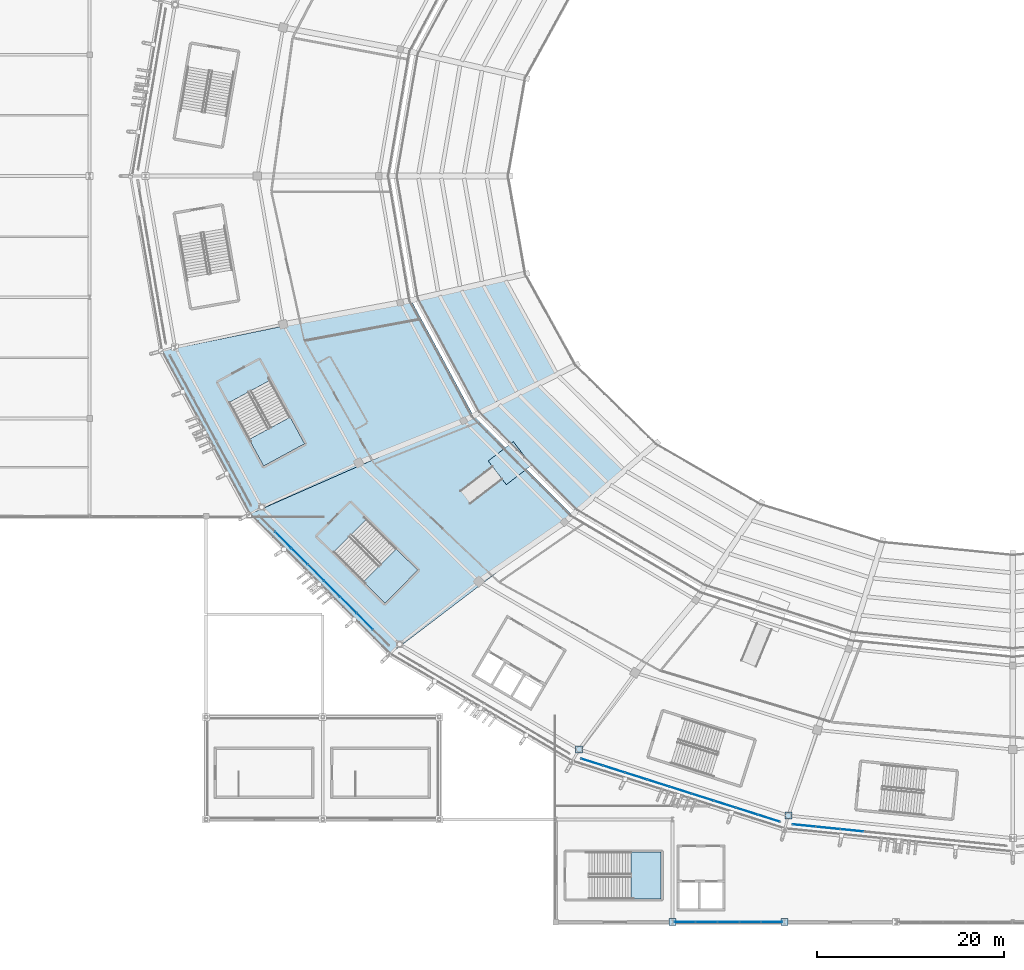
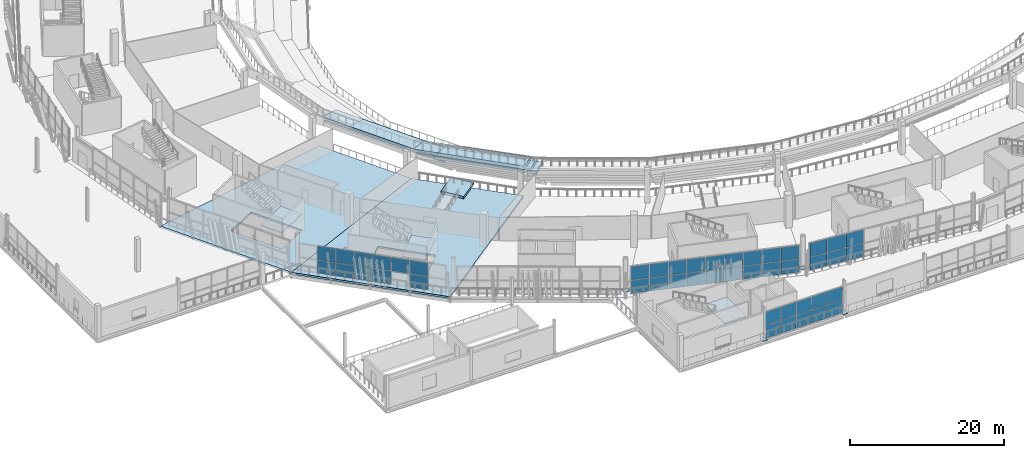
# One storey, part 90 of 178: 49 plates, 13 slabs, 7 elements without a shape of their own.
"""IFC4 building model written with IfcOpenShell, lengths in metres."""

import ifcopenshell
import ifcopenshell.guid

model = None  # the IFC model being written
_history = None  # IfcOwnerHistory: only IFC2X3 demands one
_inside = {}  # id of a spatial element -> (the spatial element, [elements in it])
_under = {}  # id of a project, library or spatial element -> (it, [spatial elements below it])
_declared = {}  # id of a project -> (the project, [libraries it declares])
_typed = {}  # id of a type object -> (the type object, [elements of that type])
_made_of = {}  # id of a material, layer set ... -> (it, [elements and type objects made of it])


def new_model(schema):
    """Start an empty IFC model of exactly this schema.

    Asked for "IFC4X3", IfcOpenShell would pick the latest addendum, in which some entities
    have other attributes; the version numbers below select the first issue.
    IFC2X3 requires an IfcOwnerHistory on every rooted entity: one is made here for all.
    """
    global model, _history
    if schema == "IFC4X3":
        model = ifcopenshell.file(schema_version=(4, 3, 0, 0))
    else:
        model = ifcopenshell.file(schema=schema)
    _inside.clear()
    _under.clear()
    _declared.clear()
    _typed.clear()
    _made_of.clear()
    _history = None
    if model.schema == "IFC2X3":
        org = make("IfcOrganization", Name="unknown")
        user = make(
            "IfcPersonAndOrganization",
            ThePerson=make("IfcPerson", FamilyName="unknown"),
            TheOrganization=org,
        )
        app = make(
            "IfcApplication",
            ApplicationDeveloper=org,
            Version="unknown",
            ApplicationFullName="unknown",
            ApplicationIdentifier="unknown",
        )
        _history = make(
            "IfcOwnerHistory",
            OwningUser=user,
            OwningApplication=app,
            ChangeAction="ADDED",
            CreationDate=0,
        )
    return model


def make(cls, **values):
    """One entity of the class cls with the attributes given. An attribute that is None is left unset."""
    return model.create_entity(
        cls, **{name: value for name, value in values.items() if value is not None}
    )


def rooted(cls, **values):
    """An entity with a GlobalId (a new one), such as an element, a storey or a relation."""
    return make(cls, GlobalId=ifcopenshell.guid.new(), OwnerHistory=_history, **values)


def si_unit(unit_type, name, prefix=None):
    """IfcSIUnit, for example si_unit("LENGTHUNIT", "METRE", prefix="MILLI")."""
    return make("IfcSIUnit", UnitType=unit_type, Prefix=prefix, Name=name)


def assignment(units):
    """IfcUnitAssignment: the units of a project."""
    return None if units is None else make("IfcUnitAssignment", Units=units)


def point(xyz):
    """IfcCartesianPoint."""
    return None if xyz is None else make("IfcCartesianPoint", Coordinates=xyz)


def direction(xyz):
    """IfcDirection."""
    return None if xyz is None else make("IfcDirection", DirectionRatios=xyz)


def frame(location, z_axis=None, x_axis=None):
    """IfcAxis2Placement3D, a coordinate frame: its origin and axes. An axis left out is left unset."""
    return make(
        "IfcAxis2Placement3D",
        Location=point(location),
        Axis=direction(z_axis),
        RefDirection=direction(x_axis),
    )


def frame_2d(location, x_axis=None):
    """IfcAxis2Placement2D, a coordinate frame in the plane: its origin and x axis."""
    return make(
        "IfcAxis2Placement2D", Location=point(location), RefDirection=direction(x_axis)
    )


def origin():
    """The frame at (0, 0, 0) with its axes left unset."""
    return frame((0.0, 0.0, 0.0))


def origin_2d():
    """The frame at (0, 0) in the plane with its x axis left unset."""
    return frame_2d((0.0, 0.0))


def place(relative_to, where):
    """IfcLocalPlacement: puts the frame where relative to a parent placement (None: the world)."""
    return make(
        "IfcLocalPlacement", PlacementRelTo=relative_to, RelativePlacement=where
    )


def context(
    kind, dimensions, precision=None, world=None, true_north=None, identifier=None
):
    """IfcGeometricRepresentationContext, for example the 3D "Model" context."""
    return make(
        "IfcGeometricRepresentationContext",
        ContextIdentifier=identifier,
        ContextType=kind,
        CoordinateSpaceDimension=dimensions,
        Precision=precision,
        WorldCoordinateSystem=world,
        TrueNorth=true_north,
    )


def subcontext(parent, identifier, kind, view, scale=None):
    """IfcGeometricRepresentationSubContext, for example "Body" below "Model"."""
    return make(
        "IfcGeometricRepresentationSubContext",
        ContextIdentifier=identifier,
        ContextType=kind,
        ParentContext=parent,
        TargetScale=scale,
        TargetView=view,
    )


def project(units=None, contexts=None):
    """IfcProject with its units and contexts."""
    return rooted(
        "IfcProject",
        Name="project",
        RepresentationContexts=contexts,
        UnitsInContext=assignment(units),
    )


def spatial(cls, under=None, at=None, **own):
    """A site, building, storey or space (cls), placed at a placement, below another one or the project."""
    s = rooted(cls, ObjectPlacement=at, **own)
    if under is not None:
        _under.setdefault(under.id(), (under, []))[1].append(s)
    return s


def polyline(points):
    """IfcPolyline through the points."""
    return make("IfcPolyline", Points=[point(p) for p in points])


def profile(cls, at=None, kind="AREA", **sizes):
    """A parametric profile (cls). Its sizes go by their IFC names, for example OverallWidth=200.0."""
    return make(cls, ProfileType=kind, Position=at, **sizes)


def rectangle(**sizes):
    """IfcRectangleProfileDef."""
    return profile("IfcRectangleProfileDef", **sizes)


def outline(outer, holes=None, kind="AREA"):
    """IfcArbitraryClosedProfileDef: a profile drawn as a closed curve; with holes, ...WithVoids."""
    if holes is None:
        return make("IfcArbitraryClosedProfileDef", ProfileType=kind, OuterCurve=outer)
    return make(
        "IfcArbitraryProfileDefWithVoids",
        ProfileType=kind,
        OuterCurve=outer,
        InnerCurves=holes,
    )


def extrude(swept, where, along, depth):
    """IfcExtrudedAreaSolid: the profile swept, set in the frame where, extruded along a direction by depth."""
    return make(
        "IfcExtrudedAreaSolid",
        SweptArea=swept,
        Position=where,
        ExtrudedDirection=direction(along),
        Depth=depth,
    )


def shape(context_of_items, identifier, shape_type, items):
    """IfcShapeRepresentation: the items that make up one representation, for example the "Body"."""
    return make(
        "IfcShapeRepresentation",
        ContextOfItems=context_of_items,
        RepresentationIdentifier=identifier,
        RepresentationType=shape_type,
        Items=items,
    )


def material(Name=None, Category=None):
    """IfcMaterial."""
    return make("IfcMaterial", Name=Name, Category=Category)


def layer(
    of_material, thickness, ventilated=None, Name=None, Category=None, Priority=None
):
    """IfcMaterialLayer: one layer of a wall or slab, of a material (None: an air gap)."""
    return make(
        "IfcMaterialLayer",
        Material=of_material,
        LayerThickness=thickness,
        IsVentilated=ventilated,
        Name=Name,
        Category=Category,
        Priority=Priority,
    )


def layer_set(layers, Name=None):
    """IfcMaterialLayerSet."""
    return make("IfcMaterialLayerSet", MaterialLayers=layers, LayerSetName=Name)


def made_of(thing, what):
    """Note that an element or type object is made of a material, layer set ...; save() writes the relation."""
    if what is not None:
        _made_of.setdefault(what.id(), (what, []))[1].append(thing)
    return thing


def type_object(cls, material=None, **own):
    """A type object (cls), such as IfcWallType, which elements share."""
    return made_of(rooted(cls, **own), material)


def element(
    cls,
    number,
    at=None,
    inside=None,
    cuts=None,
    type_object=None,
    material=None,
    context=None,
    identifier="Body",
    shape_type=None,
    held_by="IfcProductDefinitionShape",
    body=None,
    shapes=None,
    **own,
):
    """One element of the class cls, such as IfcWall. Its Tag is "e" and its number.

    at: its placement. inside: the storey or other place that contains it. cuts: it is an
    opening in that element (IfcRelVoidsElement). A single representation is given by context,
    identifier, shape_type and body (its items); several are given by shapes. held_by: the class
    of the entity that holds the representations. save() writes the other relations.
    """
    e = rooted(cls, Tag="e%d" % number, ObjectPlacement=at, **own)
    if body is not None:
        shapes = [shape(context, identifier, shape_type, body)]
    if shapes is not None:
        e.Representation = make(held_by, Representations=shapes)
    if inside is not None:
        _inside.setdefault(inside.id(), (inside, []))[1].append(e)
    if cuts is not None:
        rooted(
            "IfcRelVoidsElement", RelatingBuildingElement=cuts, RelatedOpeningElement=e
        )
    if type_object is not None:
        _typed.setdefault(type_object.id(), (type_object, []))[1].append(e)
    return made_of(e, material)


def aggregate(whole, parts):
    """IfcRelAggregates: a whole, such as a stair, and the parts it consists of."""
    return rooted("IfcRelAggregates", RelatingObject=whole, RelatedObjects=parts)


def save(model, path):
    """Write the relations noted so far, then the file.

    IfcRelAggregates (storeys below a building ...), IfcRelContainedInSpatialStructure (elements
    in a storey), IfcRelDefinesByType, IfcRelAssociatesMaterial and IfcRelDeclares: one each for
    every whole, place, type object, material and project.
    """
    for whole, parts in _under.values():
        aggregate(whole, parts)
    for where, things in _inside.values():
        rooted(
            "IfcRelContainedInSpatialStructure",
            RelatedElements=things,
            RelatingStructure=where,
        )
    for kind, things in _typed.values():
        rooted("IfcRelDefinesByType", RelatedObjects=things, RelatingType=kind)
    for what, things in _made_of.values():
        rooted("IfcRelAssociatesMaterial", RelatedObjects=things, RelatingMaterial=what)
    for by, libraries in _declared.values():
        rooted("IfcRelDeclares", RelatingContext=by, RelatedDefinitions=libraries)
    model.write(path)


model = new_model("IFC4")

# Units and contexts
model_context = context("Model", 3, precision=1e-05, world=origin(), true_north=direction((0.0, 1.0)))
body_context = subcontext(model_context, "Body", "Model", "MODEL_VIEW")
ifc_project = project(units=[si_unit("LENGTHUNIT", "METRE"), si_unit("AREAUNIT", "SQUARE_METRE"), si_unit("VOLUMEUNIT", "CUBIC_METRE"), si_unit("PLANEANGLEUNIT", "RADIAN"), si_unit("MASSUNIT", "GRAM", prefix="KILO")], contexts=[model_context])

# Site, building, storey
site_placement = place(None, origin())
site = spatial("IfcSite", under=ifc_project, at=site_placement, CompositionType="ELEMENT")
building_placement = place(site_placement, origin())
building = spatial("IfcBuilding", under=site, at=building_placement, Name="Zlatoyarsky Gate Stadium", CompositionType="ELEMENT")
storey_placement = place(building_placement, frame((0.0, 0.0, 5.39990234375)))
storey = spatial("IfcBuildingStorey", under=building, at=storey_placement, Name="L01", CompositionType="ELEMENT", Elevation=5.39990234375)

# Slabs
ifc_material_1 = material(Name="Concrete C40/50", Category="concrete")
ifc_layer_1 = layer(ifc_material_1, 0.360107421875)
ifc_layer_set_1 = layer_set([ifc_layer_1], Name="Concrete C40/50")
slab_type_1 = type_object("IfcSlabType", Name="CONCRETE ACCESSIBLE PLATFORM SLAB 360", PredefinedType="FLOOR", material=ifc_layer_set_1)
slab_1_placement = place(storey_placement, origin())
element("IfcSlab", 1, at=slab_1_placement, inside=storey, type_object=slab_type_1, Name="L01 accessible viewing platform at AR-03", PredefinedType="FLOOR", context=body_context, shape_type="SweptSolid", body=[
    extrude(outline(polyline([(56.693359375, 46.904541015625), (59.390625, 48.974365234375), (57.442626953125, 51.512939453125), (54.745361328125, 49.443115234375), (56.693359375, 46.904541015625)])), origin(), (0.0, 0.0, 1.0), 0.360107421875),
])
ifc_layer_2 = layer(ifc_material_1, 0.300048828125)
ifc_layer_set_2 = layer_set([ifc_layer_2], Name="Concrete C40/50")
slab_type_2 = type_object("IfcSlabType", Name="CONCRETE CONCOURSE SLAB 300", PredefinedType="FLOOR", material=ifc_layer_set_2)
slab_2_placement = place(storey_placement, frame((0.0, 0.0, -0.2998046875)))
element("IfcSlab", 2, at=slab_2_placement, inside=storey, type_object=slab_type_2, Name="L01 bowl sector 13 slab", PredefinedType="FLOOR", context=body_context, shape_type="SweptSolid", body=[
    extrude(outline(polyline([(53.1494140625, 54.300048828125), (29.066650390625, 43.69580078125), (19.615234375, 61.20751953125), (46.476318359375, 66.69677734375), (53.1494140625, 54.300048828125)]), holes=[polyline([(26.969482421875, 55.712646484375), (30.66552734375, 48.90087890625), (35.060302734375, 51.28515625), (31.364501953125, 58.09716796875), (26.969482421875, 55.712646484375)])]), origin(), (0.0, 0.0, 1.0), 0.2998046875),
])
slab_3_placement = place(storey_placement, frame((0.0, 0.0, -0.2998046875)))
element("IfcSlab", 3, at=slab_3_placement, inside=storey, type_object=slab_type_2, Name="L01 bowl sector 14 slab", PredefinedType="FLOOR", context=body_context, shape_type="SweptSolid", body=[
    extrude(outline(polyline([(63.765380859375, 43.65478515625), (44.101806640625, 28.657958984375), (29.066650390625, 43.69580078125), (53.1494140625, 54.300048828125), (63.765380859375, 43.65478515625)]), holes=[polyline([(41.6982421875, 43.197265625), (38.171875, 39.652587890625), (43.665771484375, 34.1865234375), (47.1923828125, 37.731201171875), (41.6982421875, 43.197265625)])]), origin(), (0.0, 0.0, 1.0), 0.2998046875),
])

# Stair, slab
stair_type = type_object("IfcStairType", Name="CONCRETE DOGLEG EXIT STAIR H5200", PredefinedType="TWO_STRAIGHT_RUN_STAIR", material=ifc_material_1)
stair_1_placement = place(storey_placement, origin())
stair_1 = element("IfcStair", 4, at=stair_1_placement, inside=storey, type_object=stair_type, Name="L01 Exit Stair ST-08", PredefinedType="TWO_STRAIGHT_RUN_STAIR")
ifc_layer_3 = layer(ifc_material_1, 0.199951171875)
ifc_layer_set_3 = layer_set([ifc_layer_3], Name="Concrete C40/50")
slab_type_3 = type_object("IfcSlabType", Name="CONCRETE STAIR LANDING SLAB 200", PredefinedType="LANDING", material=ifc_layer_set_3)
slab_4_placement = place(storey_placement, frame((0.0, 0.0, 2.400146484375)))
slab_4 = element("IfcSlab", 5, at=slab_4_placement, type_object=slab_type_3, Name="ST-DG52 landing 1", PredefinedType="LANDING", context=body_context, shape_type="SweptSolid", body=[
    extrude(outline(polyline([(41.36181640625, 36.478759765625), (43.665771484375, 34.1865234375), (47.1923828125, 37.73095703125), (44.888427734375, 40.0234375), (41.36181640625, 36.478759765625)])), origin(), (0.0, 0.0, 1.0), 0.199951171875),
])
aggregate(stair_1, [slab_4])

stair_2_placement = place(storey_placement, origin())
stair_2 = element("IfcStair", 6, at=stair_2_placement, inside=storey, type_object=stair_type, Name="L01 Exit Stair ST-15", PredefinedType="TWO_STRAIGHT_RUN_STAIR")
slab_5_placement = place(storey_placement, frame((0.0, 0.0, 2.400146484375)))
slab_5 = element("IfcSlab", 7, at=slab_5_placement, type_object=slab_type_3, Name="ST-DG52 landing 1", PredefinedType="LANDING", context=body_context, shape_type="SweptSolid", body=[
    extrude(outline(polyline([(29.115478515625, 51.75732421875), (30.66552734375, 48.90087890625), (35.060302734375, 51.28515625), (33.510498046875, 54.141845703125), (29.115478515625, 51.75732421875)])), origin(), (0.0, 0.0, 1.0), 0.199951171875),
])
aggregate(stair_2, [slab_5])

stair_3_placement = place(storey_placement, origin())
stair_3 = element("IfcStair", 8, at=stair_3_placement, inside=storey, type_object=stair_type, Name="L01 Exit Stair ST-29", PredefinedType="TWO_STRAIGHT_RUN_STAIR")
slab_6_placement = place(storey_placement, frame((0.0, 0.0, 2.400146484375)))
slab_6 = element("IfcSlab", 9, at=slab_6_placement, type_object=slab_type_3, Name="ST-DG52 landing 1", PredefinedType="LANDING", context=body_context, shape_type="SweptSolid", body=[
    extrude(outline(polyline([(70.050048828125, 2.5), (73.300048828125, 2.5), (73.300048828125, 7.5), (70.050048828125, 7.5), (70.050048828125, 2.5)])), origin(), (0.0, 0.0, 1.0), 0.199951171875),
])
aggregate(stair_3, [slab_6])

# Slabs
ifc_material_2 = material(Name="Precast concrete C40/50", Category="concrete")
ifc_layer_4 = layer(ifc_material_2, 0.52001953125)
ifc_layer_set_4 = layer_set([ifc_layer_4], Name="Precast concrete C40/50")
slab_type_4 = type_object("IfcSlabType", Name="PRECAST LOWER SEATING TIER UNIT 520", PredefinedType="USERDEFINED", material=ifc_layer_set_4)
slab_7_placement = place(storey_placement, frame((0.0, 0.0, -1.969970703125)))
element("IfcSlab", 10, at=slab_7_placement, inside=storey, type_object=slab_type_4, Name="Lower seating tier sector 13 row 2", ObjectType="SEATING TIER", PredefinedType="USERDEFINED", context=body_context, shape_type="SweptSolid", body=[
    extrude(outline(polyline([(56.483154296875, 68.984619140625), (54.126220703125, 68.451416015625), (60.00830078125, 57.68994140625), (62.12158203125, 58.719970703125), (56.483154296875, 68.984619140625)])), origin(), (0.0, 0.0, 1.0), 0.52001953125),
])
slab_8_placement = place(storey_placement, frame((0.0, 0.0, -0.06982421875)))
element("IfcSlab", 11, at=slab_8_placement, inside=storey, type_object=slab_type_4, Name="Lower seating tier sector 13 row 3", ObjectType="SEATING TIER", PredefinedType="USERDEFINED", context=body_context, shape_type="SweptSolid", body=[
    extrude(outline(polyline([(54.126220703125, 68.451416015625), (51.769287109375, 67.918212890625), (57.895263671875, 56.659912109375), (60.00830078125, 57.68994140625), (54.126220703125, 68.451416015625)])), origin(), (0.0, 0.0, 1.0), 0.52001953125),
])
slab_9_placement = place(storey_placement, frame((0.0, 0.0, 1.830078125)))
element("IfcSlab", 12, at=slab_9_placement, inside=storey, type_object=slab_type_4, Name="Lower seating tier sector 13 row 4", ObjectType="SEATING TIER", PredefinedType="USERDEFINED", context=body_context, shape_type="SweptSolid", body=[
    extrude(outline(polyline([(51.769287109375, 67.918212890625), (49.41259765625, 67.38525390625), (55.7822265625, 55.6298828125), (57.895263671875, 56.659912109375), (51.769287109375, 67.918212890625)])), origin(), (0.0, 0.0, 1.0), 0.52001953125),
])
slab_10_placement = place(storey_placement, frame((0.0, 0.0, 3.72998046875)))
element("IfcSlab", 13, at=slab_10_placement, inside=storey, type_object=slab_type_4, Name="Lower seating tier sector 13 row 5", ObjectType="SEATING TIER", PredefinedType="USERDEFINED", context=body_context, shape_type="SweptSolid", body=[
    extrude(outline(polyline([(49.41259765625, 67.38525390625), (47.0556640625, 66.85205078125), (53.669189453125, 54.60009765625), (55.7822265625, 55.6298828125), (49.41259765625, 67.38525390625)])), origin(), (0.0, 0.0, 1.0), 0.52001953125),
])
slab_11_placement = place(storey_placement, frame((0.0, 0.0, -0.06982421875)))
element("IfcSlab", 14, at=slab_11_placement, inside=storey, type_object=slab_type_4, Name="Lower seating tier sector 14 row 3", ObjectType="SEATING TIER", PredefinedType="USERDEFINED", context=body_context, shape_type="SweptSolid", body=[
    extrude(outline(polyline([(60.00830078125, 57.68994140625), (57.895263671875, 56.659912109375), (67.64013671875, 46.9921875), (69.365478515625, 48.448974609375), (60.00830078125, 57.68994140625)])), origin(), (0.0, 0.0, 1.0), 0.52001953125),
])
slab_12_placement = place(storey_placement, frame((0.0, 0.0, 1.830078125)))
element("IfcSlab", 15, at=slab_12_placement, inside=storey, type_object=slab_type_4, Name="Lower seating tier sector 14 row 4", ObjectType="SEATING TIER", PredefinedType="USERDEFINED", context=body_context, shape_type="SweptSolid", body=[
    extrude(outline(polyline([(57.895263671875, 56.659912109375), (55.7822265625, 55.6298828125), (65.914794921875, 45.53564453125), (67.64013671875, 46.9921875), (57.895263671875, 56.659912109375)])), origin(), (0.0, 0.0, 1.0), 0.52001953125),
])
slab_13_placement = place(storey_placement, frame((0.0, 0.0, 3.72998046875)))
element("IfcSlab", 16, at=slab_13_placement, inside=storey, type_object=slab_type_4, Name="Lower seating tier sector 14 row 5", ObjectType="SEATING TIER", PredefinedType="USERDEFINED", context=body_context, shape_type="SweptSolid", body=[
    extrude(outline(polyline([(55.7822265625, 55.6298828125), (53.669189453125, 54.60009765625), (64.189453125, 44.0791015625), (65.914794921875, 45.53564453125), (55.7822265625, 55.6298828125)])), origin(), (0.0, 0.0, 1.0), 0.52001953125),
])

# Plates
ifc_material_3 = material(Name="Steel S355", Category="steel")
ifc_layer_5 = layer(ifc_material_3, 0.0400390625)
ifc_layer_set_5 = layer_set([ifc_layer_5], Name="Steel S355")
plate_type_1 = type_object("IfcPlateType", Name="STEEL COLUMN BASE PLATE 40", PredefinedType="USERDEFINED", material=ifc_layer_set_5)
for number, where, z_axis, x_axis, name in (
    (17, (64.5, 18.51220703125, 0.0), (0.0, 0.0, 1.0), (1.0, 0.0, 0.0), "Column base plate BP-01 at RC-16 L01"),
    (18, (86.9296875, 11.419189453125, 0.0), (0.0, 0.0, 1.0), (1.0, 0.0, 0.0), "Column base plate BP-01 at RC-17 L01"),
    (19, (74.5, 0.0, 0.0), (0.0, 0.0, 1.0), (1.0, 0.0, 0.0), "Column base plate BP-01 at WG-7-A L01"),
    (20, (86.5, 0.0, 0.0), (0.0, 0.0, 1.0), (1.0, 0.0, 0.0), "Column base plate BP-01 at WG-8-A L01"),
):
    element("IfcPlate", number, at=place(storey_placement, frame(where, z_axis=z_axis, x_axis=x_axis)), inside=storey, type_object=plate_type_1, Name=name, ObjectType="BASE PLATE", PredefinedType="USERDEFINED", context=body_context, shape_type="SweptSolid", body=[
        extrude(rectangle(XDim=0.75, YDim=0.75, at=origin_2d()), origin(), (0.0, 0.0, 1.0), 0.0400390625),
    ])

# Curtain wall, plates
ifc_material_4 = material(Name="Thermally broken anodised aluminium curtain wall", Category="aluminium")
curtain_wall_type_1 = type_object("IfcCurtainWallType", Name="UNITISED HOSPITALITY GLAZING L01", PredefinedType="USERDEFINED", material=ifc_material_4)
curtain_wall_1_placement = place(storey_placement, origin())
curtain_wall_1 = element("IfcCurtainWall", 21, at=curtain_wall_1_placement, inside=storey, type_object=curtain_wall_type_1, Name="Curtain wall CW-L01-14", ObjectType="UNITISED GLAZING", PredefinedType="USERDEFINED")
ifc_material_5 = material(Name="Triple-glazed argon low-e architectural glass", Category="glass")
ifc_layer_6 = layer(ifc_material_5, 0.0380859375)
ifc_layer_set_6 = layer_set([ifc_layer_6], Name="Triple-glazed argon low-e architectural glass")
plate_type_2 = type_object("IfcPlateType", Name="TRIPLE GLAZED LOW E CURTAIN PANEL 38", PredefinedType="CURTAIN_PANEL", material=ifc_layer_set_6)
plate_1_placement = place(storey_placement, frame((32.7587890625, 40.966552734375, 0.06494140625), z_axis=(0.0, 0.0, 1.0), x_axis=(0.707839332176, -0.706373470498, 0.0)))
plate_1 = element("IfcPlate", 22, at=plate_1_placement, type_object=plate_type_2, Name="CW-UG1 panel 2.1", PredefinedType="CURTAIN_PANEL", context=body_context, shape_type="SweptSolid", body=[
    extrude(rectangle(XDim=2.407958984375, YDim=0.0380859375, at=origin_2d()), origin(), (0.0, 0.0, 1.0), 2.052490234375),
])
plate_2_placement = place(storey_placement, frame((32.7587890625, 40.966552734375, 2.1826171875), z_axis=(0.0, 0.0, 1.0), x_axis=(0.707839332176, -0.706373470498, 0.0)))
plate_2 = element("IfcPlate", 23, at=plate_2_placement, type_object=plate_type_2, Name="CW-UG1 panel 2.2", PredefinedType="CURTAIN_PANEL", context=body_context, shape_type="SweptSolid", body=[
    extrude(rectangle(XDim=2.407958984375, YDim=0.0380859375, at=origin_2d()), origin(), (0.0, 0.0, 1.0), 2.152587890625),
])
plate_3_placement = place(storey_placement, frame((34.509033203125, 39.2197265625, 0.06494140625), z_axis=(0.0, 0.0, 1.0), x_axis=(0.707839332176, -0.706373470498, 0.0)))
plate_3 = element("IfcPlate", 24, at=plate_3_placement, type_object=plate_type_2, Name="CW-UG1 panel 3.1", PredefinedType="CURTAIN_PANEL", context=body_context, shape_type="SweptSolid", body=[
    extrude(rectangle(XDim=2.407958984375, YDim=0.0380859375, at=origin_2d()), origin(), (0.0, 0.0, 1.0), 2.052490234375),
])
plate_4_placement = place(storey_placement, frame((34.509033203125, 39.2197265625, 2.1826171875), z_axis=(0.0, 0.0, 1.0), x_axis=(0.707839332176, -0.706373470498, 0.0)))
plate_4 = element("IfcPlate", 25, at=plate_4_placement, type_object=plate_type_2, Name="CW-UG1 panel 3.2", PredefinedType="CURTAIN_PANEL", context=body_context, shape_type="SweptSolid", body=[
    extrude(rectangle(XDim=2.407958984375, YDim=0.0380859375, at=origin_2d()), origin(), (0.0, 0.0, 1.0), 2.152587890625),
])
plate_5_placement = place(storey_placement, frame((36.259521484375, 37.472900390625, 0.06494140625), z_axis=(0.0, 0.0, 1.0), x_axis=(0.707839332176, -0.706373470498, 0.0)))
plate_5 = element("IfcPlate", 26, at=plate_5_placement, type_object=plate_type_2, Name="CW-UG1 panel 4.1", PredefinedType="CURTAIN_PANEL", context=body_context, shape_type="SweptSolid", body=[
    extrude(rectangle(XDim=2.407958984375, YDim=0.0380859375, at=origin_2d()), origin(), (0.0, 0.0, 1.0), 2.052490234375),
])
plate_6_placement = place(storey_placement, frame((36.259521484375, 37.472900390625, 2.1826171875), z_axis=(0.0, 0.0, 1.0), x_axis=(0.707839332176, -0.706373470498, 0.0)))
plate_6 = element("IfcPlate", 27, at=plate_6_placement, type_object=plate_type_2, Name="CW-UG1 panel 4.2", PredefinedType="CURTAIN_PANEL", context=body_context, shape_type="SweptSolid", body=[
    extrude(rectangle(XDim=2.407958984375, YDim=0.0380859375, at=origin_2d()), origin(), (0.0, 0.0, 1.0), 2.152587890625),
])
plate_7_placement = place(storey_placement, frame((38.010009765625, 35.72607421875, 0.06494140625), z_axis=(0.0, 0.0, 1.0), x_axis=(0.707839332176, -0.706373470498, 0.0)))
plate_7 = element("IfcPlate", 28, at=plate_7_placement, type_object=plate_type_2, Name="CW-UG1 panel 5.1", PredefinedType="CURTAIN_PANEL", context=body_context, shape_type="SweptSolid", body=[
    extrude(rectangle(XDim=2.407958984375, YDim=0.0380859375, at=origin_2d()), origin(), (0.0, 0.0, 1.0), 2.052490234375),
])
plate_8_placement = place(storey_placement, frame((38.010009765625, 35.72607421875, 2.1826171875), z_axis=(0.0, 0.0, 1.0), x_axis=(0.707839332176, -0.706373470498, 0.0)))
plate_8 = element("IfcPlate", 29, at=plate_8_placement, type_object=plate_type_2, Name="CW-UG1 panel 5.2", PredefinedType="CURTAIN_PANEL", context=body_context, shape_type="SweptSolid", body=[
    extrude(rectangle(XDim=2.407958984375, YDim=0.0380859375, at=origin_2d()), origin(), (0.0, 0.0, 1.0), 2.152587890625),
])
plate_9_placement = place(storey_placement, frame((39.760498046875, 33.979248046875, 2.1826171875), z_axis=(0.0, 0.0, 1.0), x_axis=(0.707839332176, -0.706373470498, 0.0)))
plate_9 = element("IfcPlate", 30, at=plate_9_placement, type_object=plate_type_2, Name="CW-UG1 panel 6.2", PredefinedType="CURTAIN_PANEL", context=body_context, shape_type="SweptSolid", body=[
    extrude(rectangle(XDim=2.407958984375, YDim=0.0380859375, at=origin_2d()), origin(), (0.0, 0.0, 1.0), 2.152587890625),
])
plate_10_placement = place(storey_placement, frame((41.510986328125, 32.232421875, 0.06494140625), z_axis=(0.0, 0.0, 1.0), x_axis=(0.707839332176, -0.706373470498, 0.0)))
plate_10 = element("IfcPlate", 31, at=plate_10_placement, type_object=plate_type_2, Name="CW-UG1 panel 7.1", PredefinedType="CURTAIN_PANEL", context=body_context, shape_type="SweptSolid", body=[
    extrude(rectangle(XDim=2.407958984375, YDim=0.0380859375, at=origin_2d()), origin(), (0.0, 0.0, 1.0), 2.052490234375),
])
plate_11_placement = place(storey_placement, frame((41.510986328125, 32.232421875, 2.1826171875), z_axis=(0.0, 0.0, 1.0), x_axis=(0.707839332176, -0.706373470498, 0.0)))
plate_11 = element("IfcPlate", 32, at=plate_11_placement, type_object=plate_type_2, Name="CW-UG1 panel 7.2", PredefinedType="CURTAIN_PANEL", context=body_context, shape_type="SweptSolid", body=[
    extrude(rectangle(XDim=2.407958984375, YDim=0.0380859375, at=origin_2d()), origin(), (0.0, 0.0, 1.0), 2.152587890625),
])
aggregate(curtain_wall_1, [plate_1, plate_2, plate_3, plate_4, plate_5, plate_6, plate_7, plate_8, plate_9, plate_10, plate_11])

curtain_wall_2_placement = place(storey_placement, origin())
curtain_wall_2 = element("IfcCurtainWall", 33, at=curtain_wall_2_placement, inside=storey, type_object=curtain_wall_type_1, Name="Curtain wall CW-L01-16", ObjectType="UNITISED GLAZING", PredefinedType="USERDEFINED")
plate_12_placement = place(storey_placement, frame((65.8701171875, 17.146728515625, 0.06494140625), z_axis=(0.0, 0.0, 1.0), x_axis=(0.953202069722, -0.302333944964, 0.0)))
plate_12 = element("IfcPlate", 34, at=plate_12_placement, type_object=plate_type_2, Name="CW-UG1 panel 1.1", PredefinedType="CURTAIN_PANEL", context=body_context, shape_type="SweptSolid", body=[
    extrude(rectangle(XDim=2.398193359375, YDim=0.0380859375, at=origin_2d()), origin(), (0.0, 0.0, 1.0), 2.052490234375),
])
plate_13_placement = place(storey_placement, frame((65.8701171875, 17.146728515625, 2.1826171875), z_axis=(0.0, 0.0, 1.0), x_axis=(0.953202069722, -0.302333944964, 0.0)))
plate_13 = element("IfcPlate", 35, at=plate_13_placement, type_object=plate_type_2, Name="CW-UG1 panel 1.2", PredefinedType="CURTAIN_PANEL", context=body_context, shape_type="SweptSolid", body=[
    extrude(rectangle(XDim=2.398193359375, YDim=0.0380859375, at=origin_2d()), origin(), (0.0, 0.0, 1.0), 2.152587890625),
])
plate_14_placement = place(storey_placement, frame((68.233642578125, 16.397216796875, 0.06494140625), z_axis=(0.0, 0.0, 1.0), x_axis=(0.953202069722, -0.302333944964, 0.0)))
plate_14 = element("IfcPlate", 36, at=plate_14_placement, type_object=plate_type_2, Name="CW-UG1 panel 2.1", PredefinedType="CURTAIN_PANEL", context=body_context, shape_type="SweptSolid", body=[
    extrude(rectangle(XDim=2.4306640625, YDim=0.0380859375, at=origin_2d()), origin(), (0.0, 0.0, 1.0), 2.052490234375),
])
plate_15_placement = place(storey_placement, frame((68.233642578125, 16.397216796875, 2.1826171875), z_axis=(0.0, 0.0, 1.0), x_axis=(0.953202069722, -0.302333944964, 0.0)))
plate_15 = element("IfcPlate", 37, at=plate_15_placement, type_object=plate_type_2, Name="CW-UG1 panel 2.2", PredefinedType="CURTAIN_PANEL", context=body_context, shape_type="SweptSolid", body=[
    extrude(rectangle(XDim=2.4306640625, YDim=0.0380859375, at=origin_2d()), origin(), (0.0, 0.0, 1.0), 2.152587890625),
])
plate_16_placement = place(storey_placement, frame((70.612548828125, 15.642578125, 0.06494140625), z_axis=(0.0, 0.0, 1.0), x_axis=(0.953202069722, -0.302333944964, 0.0)))
plate_16 = element("IfcPlate", 38, at=plate_16_placement, type_object=plate_type_2, Name="CW-UG1 panel 3.1", PredefinedType="CURTAIN_PANEL", context=body_context, shape_type="SweptSolid", body=[
    extrude(rectangle(XDim=2.4306640625, YDim=0.0380859375, at=origin_2d()), origin(), (0.0, 0.0, 1.0), 2.052490234375),
])
plate_17_placement = place(storey_placement, frame((70.612548828125, 15.642578125, 2.1826171875), z_axis=(0.0, 0.0, 1.0), x_axis=(0.953202069722, -0.302333944964, 0.0)))
plate_17 = element("IfcPlate", 39, at=plate_17_placement, type_object=plate_type_2, Name="CW-UG1 panel 3.2", PredefinedType="CURTAIN_PANEL", context=body_context, shape_type="SweptSolid", body=[
    extrude(rectangle(XDim=2.4306640625, YDim=0.0380859375, at=origin_2d()), origin(), (0.0, 0.0, 1.0), 2.152587890625),
])
plate_18_placement = place(storey_placement, frame((72.991455078125, 14.88818359375, 0.06494140625), z_axis=(0.0, 0.0, 1.0), x_axis=(0.953202069722, -0.302333944964, 0.0)))
plate_18 = element("IfcPlate", 40, at=plate_18_placement, type_object=plate_type_2, Name="CW-UG1 panel 4.1", PredefinedType="CURTAIN_PANEL", context=body_context, shape_type="SweptSolid", body=[
    extrude(rectangle(XDim=2.4306640625, YDim=0.0380859375, at=origin_2d()), origin(), (0.0, 0.0, 1.0), 2.052490234375),
])
plate_19_placement = place(storey_placement, frame((72.991455078125, 14.88818359375, 2.1826171875), z_axis=(0.0, 0.0, 1.0), x_axis=(0.953202069722, -0.302333944964, 0.0)))
plate_19 = element("IfcPlate", 41, at=plate_19_placement, type_object=plate_type_2, Name="CW-UG1 panel 4.2", PredefinedType="CURTAIN_PANEL", context=body_context, shape_type="SweptSolid", body=[
    extrude(rectangle(XDim=2.4306640625, YDim=0.0380859375, at=origin_2d()), origin(), (0.0, 0.0, 1.0), 2.152587890625),
])
plate_20_placement = place(storey_placement, frame((75.3701171875, 14.133544921875, 0.06494140625), z_axis=(0.0, 0.0, 1.0), x_axis=(0.953202069722, -0.302333944964, 0.0)))
plate_20 = element("IfcPlate", 42, at=plate_20_placement, type_object=plate_type_2, Name="CW-UG1 panel 5.1", PredefinedType="CURTAIN_PANEL", context=body_context, shape_type="SweptSolid", body=[
    extrude(rectangle(XDim=2.4306640625, YDim=0.0380859375, at=origin_2d()), origin(), (0.0, 0.0, 1.0), 2.052490234375),
])
plate_21_placement = place(storey_placement, frame((75.3701171875, 14.133544921875, 2.1826171875), z_axis=(0.0, 0.0, 1.0), x_axis=(0.953202069722, -0.302333944964, 0.0)))
plate_21 = element("IfcPlate", 43, at=plate_21_placement, type_object=plate_type_2, Name="CW-UG1 panel 5.2", PredefinedType="CURTAIN_PANEL", context=body_context, shape_type="SweptSolid", body=[
    extrude(rectangle(XDim=2.4306640625, YDim=0.0380859375, at=origin_2d()), origin(), (0.0, 0.0, 1.0), 2.152587890625),
])
plate_22_placement = place(storey_placement, frame((77.7490234375, 13.37890625, 0.06494140625), z_axis=(0.0, 0.0, 1.0), x_axis=(0.953202069722, -0.302333944964, 0.0)))
plate_22 = element("IfcPlate", 44, at=plate_22_placement, type_object=plate_type_2, Name="CW-UG1 panel 6.1", PredefinedType="CURTAIN_PANEL", context=body_context, shape_type="SweptSolid", body=[
    extrude(rectangle(XDim=2.4306640625, YDim=0.0380859375, at=origin_2d()), origin(), (0.0, 0.0, 1.0), 2.052490234375),
])
plate_23_placement = place(storey_placement, frame((77.7490234375, 13.37890625, 2.1826171875), z_axis=(0.0, 0.0, 1.0), x_axis=(0.953202069722, -0.302333944964, 0.0)))
plate_23 = element("IfcPlate", 45, at=plate_23_placement, type_object=plate_type_2, Name="CW-UG1 panel 6.2", PredefinedType="CURTAIN_PANEL", context=body_context, shape_type="SweptSolid", body=[
    extrude(rectangle(XDim=2.4306640625, YDim=0.0380859375, at=origin_2d()), origin(), (0.0, 0.0, 1.0), 2.152587890625),
])
plate_24_placement = place(storey_placement, frame((80.1279296875, 12.62451171875, 0.06494140625), z_axis=(0.0, 0.0, 1.0), x_axis=(0.953202069722, -0.302333944964, 0.0)))
plate_24 = element("IfcPlate", 46, at=plate_24_placement, type_object=plate_type_2, Name="CW-UG1 panel 7.1", PredefinedType="CURTAIN_PANEL", context=body_context, shape_type="SweptSolid", body=[
    extrude(rectangle(XDim=2.4306640625, YDim=0.0380859375, at=origin_2d()), origin(), (0.0, 0.0, 1.0), 2.052490234375),
])
plate_25_placement = place(storey_placement, frame((80.1279296875, 12.62451171875, 2.1826171875), z_axis=(0.0, 0.0, 1.0), x_axis=(0.953202069722, -0.302333944964, 0.0)))
plate_25 = element("IfcPlate", 47, at=plate_25_placement, type_object=plate_type_2, Name="CW-UG1 panel 7.2", PredefinedType="CURTAIN_PANEL", context=body_context, shape_type="SweptSolid", body=[
    extrude(rectangle(XDim=2.4306640625, YDim=0.0380859375, at=origin_2d()), origin(), (0.0, 0.0, 1.0), 2.152587890625),
])
plate_26_placement = place(storey_placement, frame((82.5068359375, 11.869873046875, 0.06494140625), z_axis=(0.0, 0.0, 1.0), x_axis=(0.953202069722, -0.302333944964, 0.0)))
plate_26 = element("IfcPlate", 48, at=plate_26_placement, type_object=plate_type_2, Name="CW-UG1 panel 8.1", PredefinedType="CURTAIN_PANEL", context=body_context, shape_type="SweptSolid", body=[
    extrude(rectangle(XDim=2.4306640625, YDim=0.0380859375, at=origin_2d()), origin(), (0.0, 0.0, 1.0), 2.052490234375),
])
plate_27_placement = place(storey_placement, frame((82.5068359375, 11.869873046875, 2.1826171875), z_axis=(0.0, 0.0, 1.0), x_axis=(0.953202069722, -0.302333944964, 0.0)))
plate_27 = element("IfcPlate", 49, at=plate_27_placement, type_object=plate_type_2, Name="CW-UG1 panel 8.2", PredefinedType="CURTAIN_PANEL", context=body_context, shape_type="SweptSolid", body=[
    extrude(rectangle(XDim=2.4306640625, YDim=0.0380859375, at=origin_2d()), origin(), (0.0, 0.0, 1.0), 2.152587890625),
])
plate_28_placement = place(storey_placement, frame((84.8701171875, 11.120361328125, 0.06494140625), z_axis=(0.0, 0.0, 1.0), x_axis=(0.953202069722, -0.302333944964, 0.0)))
plate_28 = element("IfcPlate", 50, at=plate_28_placement, type_object=plate_type_2, Name="CW-UG1 panel 9.1", PredefinedType="CURTAIN_PANEL", context=body_context, shape_type="SweptSolid", body=[
    extrude(rectangle(XDim=2.398193359375, YDim=0.0380859375, at=origin_2d()), origin(), (0.0, 0.0, 1.0), 2.052490234375),
])
plate_29_placement = place(storey_placement, frame((84.8701171875, 11.120361328125, 2.1826171875), z_axis=(0.0, 0.0, 1.0), x_axis=(0.953202069722, -0.302333944964, 0.0)))
plate_29 = element("IfcPlate", 51, at=plate_29_placement, type_object=plate_type_2, Name="CW-UG1 panel 9.2", PredefinedType="CURTAIN_PANEL", context=body_context, shape_type="SweptSolid", body=[
    extrude(rectangle(XDim=2.398193359375, YDim=0.0380859375, at=origin_2d()), origin(), (0.0, 0.0, 1.0), 2.152587890625),
])
aggregate(curtain_wall_2, [plate_12, plate_13, plate_14, plate_15, plate_16, plate_17, plate_18, plate_19, plate_20, plate_21, plate_22, plate_23, plate_24, plate_25, plate_26, plate_27, plate_28, plate_29])

curtain_wall_3_placement = place(storey_placement, origin())
curtain_wall_3 = element("IfcCurtainWall", 52, at=curtain_wall_3_placement, inside=storey, type_object=curtain_wall_type_1, Name="Curtain wall CW-L01-17", ObjectType="UNITISED GLAZING", PredefinedType="USERDEFINED")
plate_30_placement = place(storey_placement, frame((88.635986328125, 10.345947265625, 0.06494140625), z_axis=(0.0, 0.0, 1.0), x_axis=(0.99495720457, -0.100300354307, 0.0)))
plate_30 = element("IfcPlate", 53, at=plate_30_placement, type_object=plate_type_2, Name="CW-UG1 panel 1.1", PredefinedType="CURTAIN_PANEL", context=body_context, shape_type="SweptSolid", body=[
    extrude(rectangle(XDim=2.472412109375, YDim=0.0380859375, at=origin_2d()), origin(), (0.0, 0.0, 1.0), 2.052490234375),
])
plate_31_placement = place(storey_placement, frame((88.635986328125, 10.345947265625, 2.1826171875), z_axis=(0.0, 0.0, 1.0), x_axis=(0.99495720457, -0.100300354307, 0.0)))
plate_31 = element("IfcPlate", 54, at=plate_31_placement, type_object=plate_type_2, Name="CW-UG1 panel 1.2", PredefinedType="CURTAIN_PANEL", context=body_context, shape_type="SweptSolid", body=[
    extrude(rectangle(XDim=2.472412109375, YDim=0.0380859375, at=origin_2d()), origin(), (0.0, 0.0, 1.0), 2.152587890625),
])
plate_32_placement = place(storey_placement, frame((91.1767578125, 10.08984375, 0.06494140625), z_axis=(0.0, 0.0, 1.0), x_axis=(0.99495720457, -0.100300354307, 0.0)))
plate_32 = element("IfcPlate", 55, at=plate_32_placement, type_object=plate_type_2, Name="CW-UG1 panel 2.1", PredefinedType="CURTAIN_PANEL", context=body_context, shape_type="SweptSolid", body=[
    extrude(rectangle(XDim=2.5048828125, YDim=0.0380859375, at=origin_2d()), origin(), (0.0, 0.0, 1.0), 2.052490234375),
])
plate_33_placement = place(storey_placement, frame((91.1767578125, 10.08984375, 2.1826171875), z_axis=(0.0, 0.0, 1.0), x_axis=(0.99495720457, -0.100300354307, 0.0)))
plate_33 = element("IfcPlate", 56, at=plate_33_placement, type_object=plate_type_2, Name="CW-UG1 panel 2.2", PredefinedType="CURTAIN_PANEL", context=body_context, shape_type="SweptSolid", body=[
    extrude(rectangle(XDim=2.5048828125, YDim=0.0380859375, at=origin_2d()), origin(), (0.0, 0.0, 1.0), 2.152587890625),
])
plate_34_placement = place(storey_placement, frame((93.733642578125, 9.83203125, 0.06494140625), z_axis=(0.0, 0.0, 1.0), x_axis=(0.99495720457, -0.100300354307, 0.0)))
plate_34 = element("IfcPlate", 57, at=plate_34_placement, type_object=plate_type_2, Name="CW-UG1 panel 3.1", PredefinedType="CURTAIN_PANEL", context=body_context, shape_type="SweptSolid", body=[
    extrude(rectangle(XDim=2.5048828125, YDim=0.0380859375, at=origin_2d()), origin(), (0.0, 0.0, 1.0), 2.052490234375),
])
plate_35_placement = place(storey_placement, frame((93.733642578125, 9.83203125, 2.1826171875), z_axis=(0.0, 0.0, 1.0), x_axis=(0.99495720457, -0.100300354307, 0.0)))
plate_35 = element("IfcPlate", 58, at=plate_35_placement, type_object=plate_type_2, Name="CW-UG1 panel 3.2", PredefinedType="CURTAIN_PANEL", context=body_context, shape_type="SweptSolid", body=[
    extrude(rectangle(XDim=2.5048828125, YDim=0.0380859375, at=origin_2d()), origin(), (0.0, 0.0, 1.0), 2.152587890625),
])
aggregate(curtain_wall_3, [plate_30, plate_31, plate_32, plate_33, plate_34, plate_35])

curtain_wall_type_2 = type_object("IfcCurtainWallType", Name="WINTER GARDEN CONSERVATORY GLAZING", PredefinedType="USERDEFINED", material=ifc_material_4)
curtain_wall_4_placement = place(storey_placement, origin())
curtain_wall_4 = element("IfcCurtainWall", 59, at=curtain_wall_4_placement, inside=storey, type_object=curtain_wall_type_2, Name="Curtain wall CW-V3_SOUTH-L01-157", ObjectType="UNITISED GLAZING", PredefinedType="USERDEFINED")
plate_36_placement = place(storey_placement, frame((75.845947265625, 0.0, 0.06494140625), z_axis=(0.0, 0.0, 1.0), x_axis=(1.0, 0.0, 0.0)))
plate_36 = element("IfcPlate", 60, at=plate_36_placement, type_object=plate_type_2, Name="CW-WG1 panel 1.1", PredefinedType="CURTAIN_PANEL", context=body_context, shape_type="SweptSolid", body=[
    extrude(rectangle(XDim=2.23779296875, YDim=0.0380859375, at=origin_2d()), origin(), (0.0, 0.0, 1.0), 2.052490234375),
])
plate_37_placement = place(storey_placement, frame((75.845947265625, 0.0, 2.1826171875), z_axis=(0.0, 0.0, 1.0), x_axis=(1.0, 0.0, 0.0)))
plate_37 = element("IfcPlate", 61, at=plate_37_placement, type_object=plate_type_2, Name="CW-WG1 panel 1.2", PredefinedType="CURTAIN_PANEL", context=body_context, shape_type="SweptSolid", body=[
    extrude(rectangle(XDim=2.23779296875, YDim=0.0380859375, at=origin_2d()), origin(), (0.0, 0.0, 1.0), 2.052490234375),
])
plate_38_placement = place(storey_placement, frame((78.164794921875, 0.0, 0.06494140625), z_axis=(0.0, 0.0, 1.0), x_axis=(1.0, 0.0, 0.0)))
plate_38 = element("IfcPlate", 62, at=plate_38_placement, type_object=plate_type_2, Name="CW-WG1 panel 2.1", PredefinedType="CURTAIN_PANEL", context=body_context, shape_type="SweptSolid", body=[
    extrude(rectangle(XDim=2.270263671875, YDim=0.0380859375, at=origin_2d()), origin(), (0.0, 0.0, 1.0), 2.052490234375),
])
plate_39_placement = place(storey_placement, frame((78.164794921875, 0.0, 2.1826171875), z_axis=(0.0, 0.0, 1.0), x_axis=(1.0, 0.0, 0.0)))
plate_39 = element("IfcPlate", 63, at=plate_39_placement, type_object=plate_type_2, Name="CW-WG1 panel 2.2", PredefinedType="CURTAIN_PANEL", context=body_context, shape_type="SweptSolid", body=[
    extrude(rectangle(XDim=2.270263671875, YDim=0.0380859375, at=origin_2d()), origin(), (0.0, 0.0, 1.0), 2.052490234375),
])
plate_40_placement = place(storey_placement, frame((80.5, 0.0, 0.06494140625), z_axis=(0.0, 0.0, 1.0), x_axis=(1.0, 0.0, 0.0)))
plate_40 = element("IfcPlate", 64, at=plate_40_placement, type_object=plate_type_2, Name="CW-WG1 panel 3.1", PredefinedType="CURTAIN_PANEL", context=body_context, shape_type="SweptSolid", body=[
    extrude(rectangle(XDim=2.270263671875, YDim=0.0380859375, at=origin_2d()), origin(), (0.0, 0.0, 1.0), 2.052490234375),
])
plate_41_placement = place(storey_placement, frame((80.5, 0.0, 2.1826171875), z_axis=(0.0, 0.0, 1.0), x_axis=(1.0, 0.0, 0.0)))
plate_41 = element("IfcPlate", 65, at=plate_41_placement, type_object=plate_type_2, Name="CW-WG1 panel 3.2", PredefinedType="CURTAIN_PANEL", context=body_context, shape_type="SweptSolid", body=[
    extrude(rectangle(XDim=2.270263671875, YDim=0.0380859375, at=origin_2d()), origin(), (0.0, 0.0, 1.0), 2.052490234375),
])
plate_42_placement = place(storey_placement, frame((82.835205078125, 0.0, 0.06494140625), z_axis=(0.0, 0.0, 1.0), x_axis=(1.0, 0.0, 0.0)))
plate_42 = element("IfcPlate", 66, at=plate_42_placement, type_object=plate_type_2, Name="CW-WG1 panel 4.1", PredefinedType="CURTAIN_PANEL", context=body_context, shape_type="SweptSolid", body=[
    extrude(rectangle(XDim=2.270263671875, YDim=0.0380859375, at=origin_2d()), origin(), (0.0, 0.0, 1.0), 2.052490234375),
])
plate_43_placement = place(storey_placement, frame((82.835205078125, 0.0, 2.1826171875), z_axis=(0.0, 0.0, 1.0), x_axis=(1.0, 0.0, 0.0)))
plate_43 = element("IfcPlate", 67, at=plate_43_placement, type_object=plate_type_2, Name="CW-WG1 panel 4.2", PredefinedType="CURTAIN_PANEL", context=body_context, shape_type="SweptSolid", body=[
    extrude(rectangle(XDim=2.270263671875, YDim=0.0380859375, at=origin_2d()), origin(), (0.0, 0.0, 1.0), 2.052490234375),
])
plate_44_placement = place(storey_placement, frame((85.154052734375, 0.0, 0.06494140625), z_axis=(0.0, 0.0, 1.0), x_axis=(1.0, 0.0, 0.0)))
plate_44 = element("IfcPlate", 68, at=plate_44_placement, type_object=plate_type_2, Name="CW-WG1 panel 5.1", PredefinedType="CURTAIN_PANEL", context=body_context, shape_type="SweptSolid", body=[
    extrude(rectangle(XDim=2.23779296875, YDim=0.0380859375, at=origin_2d()), origin(), (0.0, 0.0, 1.0), 2.052490234375),
])
plate_45_placement = place(storey_placement, frame((85.154052734375, 0.0, 2.1826171875), z_axis=(0.0, 0.0, 1.0), x_axis=(1.0, 0.0, 0.0)))
plate_45 = element("IfcPlate", 69, at=plate_45_placement, type_object=plate_type_2, Name="CW-WG1 panel 5.2", PredefinedType="CURTAIN_PANEL", context=body_context, shape_type="SweptSolid", body=[
    extrude(rectangle(XDim=2.23779296875, YDim=0.0380859375, at=origin_2d()), origin(), (0.0, 0.0, 1.0), 2.052490234375),
])
aggregate(curtain_wall_4, [plate_36, plate_37, plate_38, plate_39, plate_40, plate_41, plate_42, plate_43, plate_44, plate_45])

save(model, "model.ifc")
